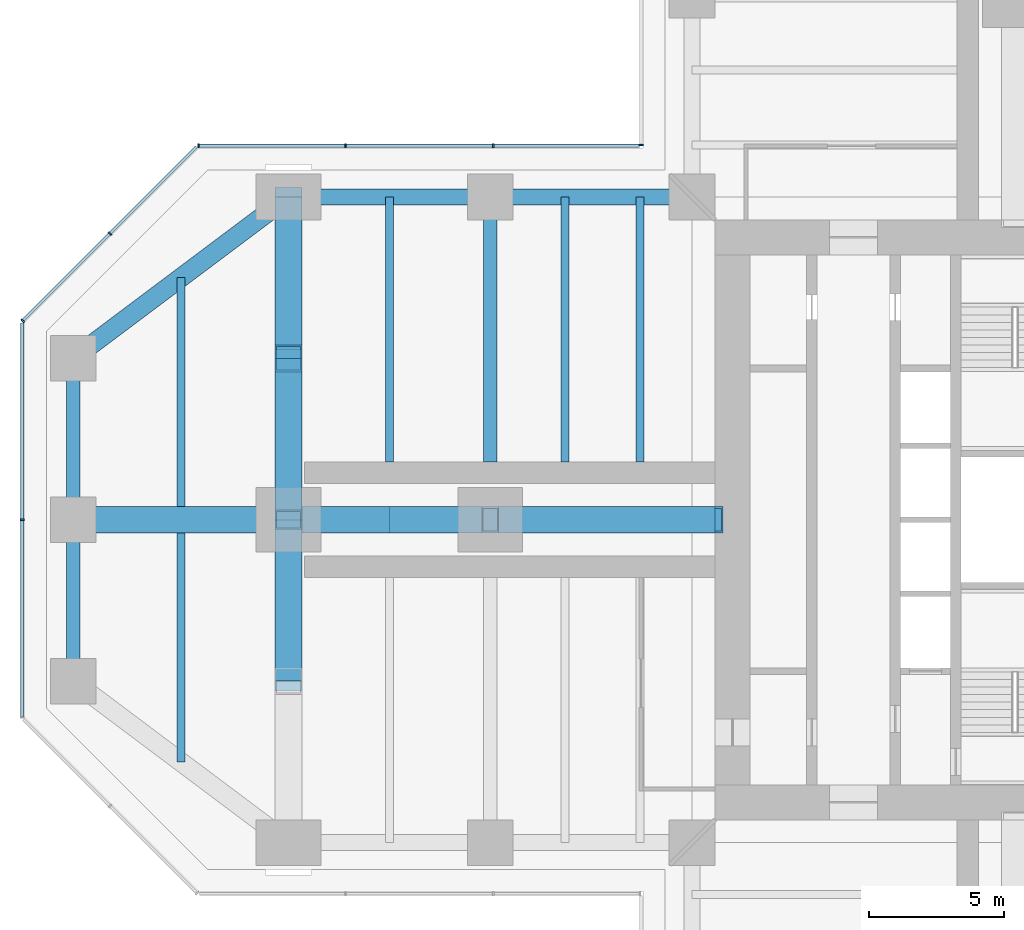
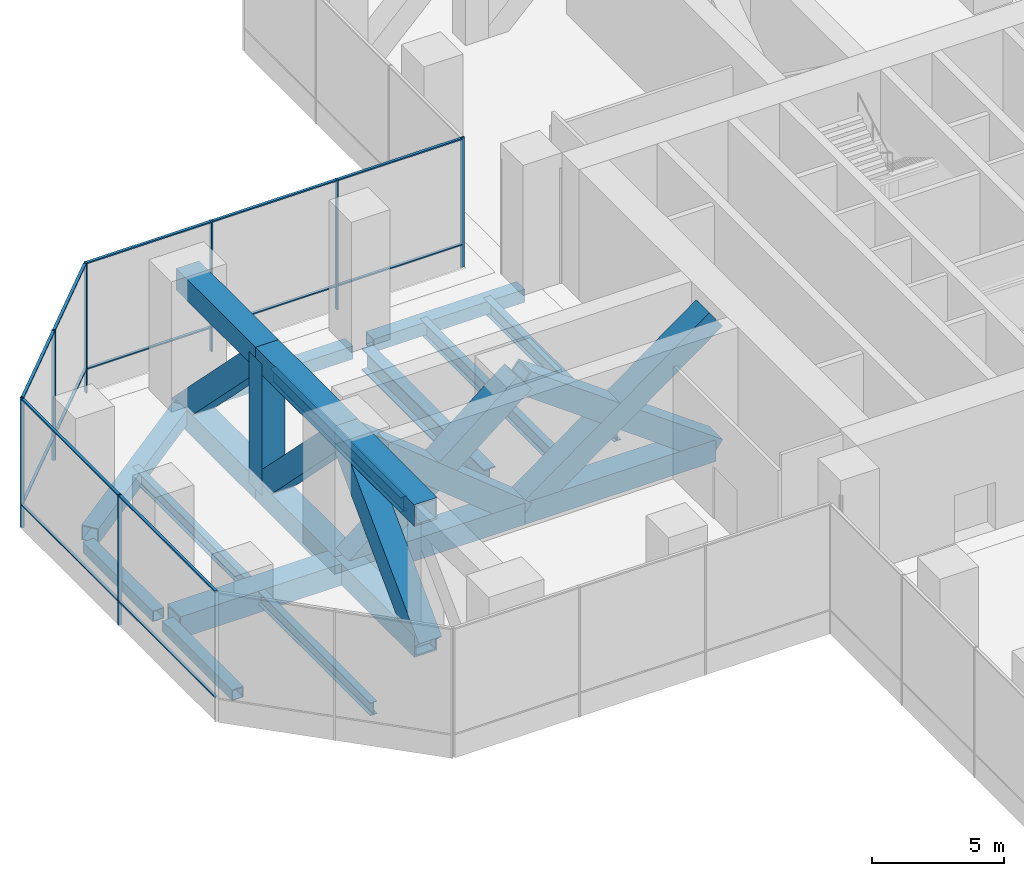
# One storey, part 7 of 20: 35 members, 14 beams, 4 elements without a shape of their own.
"""IFC4 building model written with IfcOpenShell, lengths in metres."""

from ifc_helpers import new_model, si_unit, direction, frame, origin, origin_2d, place, context, subcontext, project, spatial, rectangle, hollow_rectangle, i_section, extrude, material, material_profile, profile_set, type_object, element, aggregate, save


model = new_model("IFC4")

# Units and contexts
model_context = context("Model", 3, precision=1e-05, world=origin(), true_north=direction((0.0, 1.0)))
body_context = subcontext(model_context, "Body", "Model", "MODEL_VIEW")
ifc_project = project(units=[si_unit("LENGTHUNIT", "METRE"), si_unit("AREAUNIT", "SQUARE_METRE"), si_unit("VOLUMEUNIT", "CUBIC_METRE"), si_unit("PLANEANGLEUNIT", "RADIAN"), si_unit("MASSUNIT", "GRAM", prefix="KILO")], contexts=[model_context])

# Site, building, storey
site_placement = place(None, origin())
site = spatial("IfcSite", under=ifc_project, at=site_placement, CompositionType="ELEMENT")
building_placement = place(site_placement, origin())
building = spatial("IfcBuilding", under=site, at=building_placement, Name="Mizan Broadcast Tower", CompositionType="ELEMENT")
storey_placement = place(building_placement, frame((0.0, 0.0, 118.199951171875)))
storey = spatial("IfcBuildingStorey", under=building, at=storey_placement, Name="L26", CompositionType="ELEMENT", Elevation=118.199951171875)

# Members
ifc_material_1 = material(Name="Steel S460", Category="steel")
ifc_material_profile_1 = material_profile(ifc_material_1, hollow_rectangle(XDim=1.0, YDim=1.0, WallThickness=0.080078125, at=origin_2d()), Name="BOX 1000x1000x80")
ifc_profile_set_1 = profile_set([ifc_material_profile_1], Name="Steel S460")
member_type_1 = type_object("IfcMemberType", Name="BELT TRUSS BT2 CHORD BOX 1000x1000x80", PredefinedType="CHORD", material=ifc_profile_set_1)
for number, where, z_axis, x_axis, name in (
    (1, (-27.0, 12.0, -0.679931640625), (0.0, -1.0, 0.0), (1.0, 0.0, 0.0), "Belt truss BT2-W27 bottom chord 1"),
    (2, (-27.0, 12.0, 5.3701171875), (0.0, -1.0, 0.0), (1.0, 0.0, 0.0), "Belt truss BT2-W27 top chord 1"),
    (3, (-27.0, 6.0, -0.679931640625), (0.0, -1.0, 0.0), (1.0, 0.0, 0.0), "Belt truss BT2-W27 bottom chord 2"),
    (4, (-27.0, 6.0, 5.3701171875), (0.0, -1.0, 0.0), (1.0, 0.0, 0.0), "Belt truss BT2-W27 top chord 2"),
    (5, (-27.0, 0.0, -0.679931640625), (0.0, -1.0, 0.0), (1.0, 0.0, 0.0), "Belt truss BT2-W27 bottom chord 3"),
    (6, (-27.0, 0.0, 5.3701171875), (0.0, -1.0, 0.0), (1.0, 0.0, 0.0), "Belt truss BT2-W27 top chord 3"),
):
    element("IfcMember", number, at=place(storey_placement, frame(where, z_axis=z_axis, x_axis=x_axis)), inside=storey, type_object=member_type_1, Name=name, PredefinedType="CHORD", context=body_context, shape_type="SweptSolid", body=[
        extrude(hollow_rectangle(XDim=1.0, YDim=1.0, WallThickness=0.080078125, at=origin_2d()), origin(), (0.0, 0.0, 1.0), 6.0),
    ])
ifc_material_2 = material(Name="Steel S460", Category="steel")
ifc_material_profile_2 = material_profile(ifc_material_2, hollow_rectangle(XDim=1.0, YDim=1.0, WallThickness=0.06005859375, at=origin_2d()), Name="BOX 1000x1000x60")
ifc_profile_set_2 = profile_set([ifc_material_profile_2], Name="Steel S460")
member_type_2 = type_object("IfcMemberType", Name="BELT TRUSS BT2 DIAGONAL BOX 1000x1000x60", PredefinedType="BRACE", material=ifc_profile_set_2)
for number, where, z_axis, x_axis, name in (
    (7, (-27.0, 12.0, -0.679931640625), (0.0, -0.704163801085, 0.710037563261), (1.0, 0.0, 0.0), "Belt truss BT2-W27 diagonal 1"),
    (8, (-27.0, 6.0, -0.679931640625), (0.0, -0.704163801085, 0.710037563261), (1.0, 0.0, 0.0), "Belt truss BT2-W27 diagonal 2"),
    (9, (-27.0, -6.0, -0.679931640625), (0.0, 0.704163801085, 0.710037563261), (-1.0, 0.0, 0.0), "Belt truss BT2-W27 diagonal 3"),
):
    element("IfcMember", number, at=place(storey_placement, frame(where, z_axis=z_axis, x_axis=x_axis)), inside=storey, type_object=member_type_2, Name=name, PredefinedType="BRACE", context=body_context, shape_type="SweptSolid", body=[
        extrude(hollow_rectangle(XDim=1.0, YDim=1.0, WallThickness=0.06005859375, at=origin_2d()), origin(), (0.0, 0.0, 1.0), 8.520751953125),
    ])
ifc_material_3 = material(Name="Steel S460", Category="steel")
ifc_material_profile_3 = material_profile(ifc_material_3, hollow_rectangle(XDim=1.0, YDim=1.0, WallThickness=0.06005859375, at=origin_2d()), Name="BOX 1000x1000x60")
ifc_profile_set_3 = profile_set([ifc_material_profile_3], Name="Steel S460")
member_type_3 = type_object("IfcMemberType", Name="BELT TRUSS BT2 POST BOX 1000x1000x60", PredefinedType="POST", material=ifc_profile_set_3)
member_1_placement = place(storey_placement, frame((-27.0, 6.0, -0.679931640625), z_axis=(0.0, 0.0, 1.0), x_axis=(1.0, 0.0, 0.0)))
element("IfcMember", 10, at=member_1_placement, inside=storey, type_object=member_type_3, Name="Belt truss BT2-W27 post 1", PredefinedType="POST", context=body_context, shape_type="SweptSolid", body=[
    extrude(hollow_rectangle(XDim=1.0, YDim=1.0, WallThickness=0.06005859375, at=origin_2d()), origin(), (0.0, 0.0, 1.0), 6.050048828125),
])

# Beams
ifc_material_4 = material(Name="Steel S355", Category="steel")
ifc_material_profile_4 = material_profile(ifc_material_4, hollow_rectangle(XDim=0.5, YDim=0.5, WallThickness=0.030029296875, at=origin_2d()), Name="BOX 500x500x30")
ifc_profile_set_4 = profile_set([ifc_material_profile_4], Name="Steel S355")
beam_type_1 = type_object("IfcBeamType", Name="EDGE BEAM BOX 500x500x30", PredefinedType="SPANDREL", material=ifc_profile_set_4)
for number, where, z_axis, x_axis, name in (
    (11, (-35.0, 5.639892578125, -0.429931640625), (0.0, -1.0, 0.0), (1.0, 0.0, 0.0), "Edge beam BOX 500x500x30 L26 west arm"),
    (12, (-35.0, -5.639892578125, -0.429931640625), (0.0, 1.0, 0.0), (-1.0, 0.0, 0.0), "Edge beam BOX 500x500x30 L26 west arm"),
):
    element("IfcBeam", number, at=place(storey_placement, frame(where, z_axis=z_axis, x_axis=x_axis)), inside=storey, type_object=beam_type_1, Name=name, PredefinedType="SPANDREL", context=body_context, shape_type="SweptSolid", body=[
        extrude(hollow_rectangle(XDim=0.5, YDim=0.5, WallThickness=0.030029296875, at=origin_2d()), origin(), (0.0, 0.0, 1.0), 5.27978515625),
    ])
ifc_material_5 = material(Name="Steel S355", Category="steel")
ifc_material_profile_5 = material_profile(ifc_material_5, hollow_rectangle(XDim=0.60009765625, YDim=0.60009765625, WallThickness=0.0400390625, at=origin_2d()), Name="BOX 600x600x40")
ifc_profile_set_5 = profile_set([ifc_material_profile_5], Name="Steel S355")
beam_type_2 = type_object("IfcBeamType", Name="EDGE BEAM BOX 600x600x40", PredefinedType="SPANDREL", material=ifc_profile_set_5)
for number, where, z_axis, x_axis, name in (
    (13, (-12.449951171875, 12.0, -0.47998046875), (-1.0, 0.0, 0.0), (0.0, -1.0, 0.0), "Edge beam BOX 600x600x40 L26 west arm"),
    (14, (-19.949951171875, 12.0, -0.47998046875), (-1.0, 0.0, 0.0), (0.0, -1.0, 0.0), "Edge beam BOX 600x600x40 L26 west arm"),
):
    element("IfcBeam", number, at=place(storey_placement, frame(where, z_axis=z_axis, x_axis=x_axis)), inside=storey, type_object=beam_type_2, Name=name, PredefinedType="SPANDREL", context=body_context, shape_type="SweptSolid", body=[
        extrude(hollow_rectangle(XDim=0.60009765625, YDim=0.60009765625, WallThickness=0.0400390625, at=origin_2d()), origin(), (0.0, 0.0, 1.0), 6.60009765625),
    ])
ifc_material_6 = material(Name="Steel S355", Category="steel")
ifc_material_profile_6 = material_profile(ifc_material_6, hollow_rectangle(XDim=0.699951171875, YDim=0.699951171875, WallThickness=0.0400390625, at=origin_2d()), Name="BOX 700x700x40")
ifc_profile_set_6 = profile_set([ifc_material_profile_6], Name="Steel S355")
beam_type_3 = type_object("IfcBeamType", Name="EDGE BEAM BOX 700x700x40", PredefinedType="SPANDREL", material=ifc_profile_set_6)
beam_1_placement = place(storey_placement, frame((-27.47998046875, 11.639892578125, -0.530029296875), z_axis=(-0.800013316712, -0.599982243973, 0.0), x_axis=(0.599982243973, -0.800013316712, 0.0)))
element("IfcBeam", 15, at=beam_1_placement, inside=storey, type_object=beam_type_3, Name="Edge beam BOX 700x700x40 L26 west arm", PredefinedType="SPANDREL", context=body_context, shape_type="SweptSolid", body=[
    extrude(hollow_rectangle(XDim=0.699951171875, YDim=0.699951171875, WallThickness=0.0400390625, at=origin_2d()), origin(), (0.0, 0.0, 1.0), 8.7998046875),
])
ifc_material_7 = material(Name="Steel S460", Category="steel")
ifc_material_profile_7 = material_profile(ifc_material_7, hollow_rectangle(XDim=1.0, YDim=1.0, WallThickness=0.080078125, at=origin_2d()), Name="BOX 1000x1000x80")
ifc_profile_set_7 = profile_set([ifc_material_profile_7], Name="Steel S460")
beam_type_4 = type_object("IfcBeamType", Name="GIRDER BOX 1000x1000x80", PredefinedType="BEAM", material=ifc_profile_set_7)
beam_2_placement = place(storey_placement, frame((-27.47998046875, 0.0, -0.679931640625), z_axis=(-1.0, 0.0, 0.0), x_axis=(0.0, -1.0, 0.0)))
element("IfcBeam", 16, at=beam_2_placement, inside=storey, type_object=beam_type_4, Name="Girder BOX 1000x1000x80 L26 west arm", PredefinedType="BEAM", context=body_context, shape_type="SweptSolid", body=[
    extrude(hollow_rectangle(XDim=1.0, YDim=1.0, WallThickness=0.080078125, at=origin_2d()), origin(), (0.0, 0.0, 1.0), 7.0400390625),
])
ifc_material_8 = material(Name="Steel S460", Category="steel")
ifc_material_profile_8 = material_profile(ifc_material_8, i_section(OverallWidth=0.5, OverallDepth=1.0, WebThickness=0.02490234375, FlangeThickness=0.050048828125, at=origin_2d()), Name="WPG 1000x500")
ifc_profile_set_8 = profile_set([ifc_material_profile_8], Name="Steel S460")
beam_type_5 = type_object("IfcBeamType", Name="GIRDER WPG 1000x500", PredefinedType="BEAM", material=ifc_profile_set_8)
beam_3_placement = place(storey_placement, frame((-19.5, 11.408935546875, -0.679931640625), z_axis=(0.0, -1.0, 0.0), x_axis=(1.0, 0.0, 0.0)))
element("IfcBeam", 17, at=beam_3_placement, inside=storey, type_object=beam_type_5, Name="Girder WPG 1000x500 L26 west arm", PredefinedType="BEAM", context=body_context, shape_type="SweptSolid", body=[
    extrude(i_section(OverallWidth=0.5, OverallDepth=1.0, WebThickness=0.02490234375, FlangeThickness=0.050048828125, at=origin_2d()), origin(), (0.0, 0.0, 1.0), 9.259033203125),
])

# Curtain wall, member
ifc_material_9 = material(Name="Aluminium framed glazing", Category="aluminium")
curtain_wall_type = type_object("IfcCurtainWallType", Name="PLANT LOUVRE", PredefinedType="USERDEFINED", material=ifc_material_9)
curtain_wall_1_placement = place(storey_placement, origin())
curtain_wall_1 = element("IfcCurtainWall", 18, at=curtain_wall_1_placement, inside=storey, type_object=curtain_wall_type, Name="Plant louvre L26 N side", ObjectType="PLANT LOUVRE", PredefinedType="USERDEFINED")
ifc_material_10 = material(Name="Aluminium, pale anodised", Category="aluminium")
ifc_material_profile_9 = material_profile(ifc_material_10, rectangle(XDim=0.159912109375, YDim=0.06005859375, at=origin_2d()), Name="MULLION 160x60")
ifc_profile_set_9 = profile_set([ifc_material_profile_9], Name="Aluminium, pale anodised")
member_type_4 = type_object("IfcMemberType", Name="INNER SKIN MULLION 60x160", PredefinedType="MULLION", material=ifc_profile_set_9)
member_2_placement = place(storey_placement, frame((-13.89990234375, 13.929931640625, 0.0), z_axis=(0.0, 0.0, 1.0), x_axis=(1.0, 0.0, 0.0)))
member_2 = element("IfcMember", 19, at=member_2_placement, type_object=member_type_4, Name="Plant louvre L26 N side mullion 4", PredefinedType="MULLION", context=body_context, shape_type="SweptSolid", body=[
    extrude(rectangle(XDim=0.159912109375, YDim=0.06005859375, at=origin_2d()), origin(), (0.0, 0.0, 1.0), 6.0),
])
aggregate(curtain_wall_1, [member_2])

# Curtain wall, members
curtain_wall_2_placement = place(storey_placement, origin())
curtain_wall_2 = element("IfcCurtainWall", 20, at=curtain_wall_2_placement, inside=storey, type_object=curtain_wall_type, Name="Plant louvre L26 W side", ObjectType="PLANT LOUVRE", PredefinedType="USERDEFINED")
member_3_placement = place(storey_placement, frame((-19.390869140625, 13.89990234375, 0.0), z_axis=(0.0, 0.0, 1.0), x_axis=(0.0, -1.0, 0.0)))
member_3 = element("IfcMember", 21, at=member_3_placement, type_object=member_type_4, Name="Plant louvre L26 W side mullion 2", PredefinedType="MULLION", context=body_context, shape_type="SweptSolid", body=[
    extrude(rectangle(XDim=0.159912109375, YDim=0.06005859375, at=origin_2d()), origin(), (0.0, 0.0, 1.0), 6.0),
])
member_4_placement = place(storey_placement, frame((-24.8818359375, 13.89990234375, 0.0), z_axis=(0.0, 0.0, 1.0), x_axis=(0.0, -1.0, 0.0)))
member_4 = element("IfcMember", 22, at=member_4_placement, type_object=member_type_4, Name="Plant louvre L26 W side mullion 3", PredefinedType="MULLION", context=body_context, shape_type="SweptSolid", body=[
    extrude(rectangle(XDim=0.159912109375, YDim=0.06005859375, at=origin_2d()), origin(), (0.0, 0.0, 1.0), 6.0),
])
member_5_placement = place(storey_placement, frame((-30.3427734375, 13.89990234375, 0.0), z_axis=(0.0, 0.0, 1.0), x_axis=(0.0, -1.0, 0.0)))
member_5 = element("IfcMember", 23, at=member_5_placement, type_object=member_type_4, Name="Plant louvre L26 W side mullion 4", PredefinedType="MULLION", context=body_context, shape_type="SweptSolid", body=[
    extrude(rectangle(XDim=0.159912109375, YDim=0.06005859375, at=origin_2d()), origin(), (0.0, 0.0, 1.0), 6.0),
])

curtain_wall_3_placement = place(storey_placement, origin())
curtain_wall_3 = element("IfcCurtainWall", 24, at=curtain_wall_3_placement, inside=storey, type_object=curtain_wall_type, Name="Plant louvre L26 W chamfer", ObjectType="PLANT LOUVRE", PredefinedType="USERDEFINED")
member_6_placement = place(storey_placement, frame((-33.636474609375, 10.636474609375, 0.0), z_axis=(0.0, 0.0, 1.0), x_axis=(0.707106781187, -0.707106781187, 0.0)))
member_6 = element("IfcMember", 25, at=member_6_placement, type_object=member_type_4, Name="Plant louvre L26 W chamfer mullion 2", PredefinedType="MULLION", context=body_context, shape_type="SweptSolid", body=[
    extrude(rectangle(XDim=0.159912109375, YDim=0.06005859375, at=origin_2d()), origin(), (0.0, 0.0, 1.0), 6.0),
])
member_7_placement = place(storey_placement, frame((-36.87890625, 7.39404296875, 0.0), z_axis=(0.0, 0.0, 1.0), x_axis=(0.707106781187, -0.707106781187, 0.0)))
member_7 = element("IfcMember", 26, at=member_7_placement, type_object=member_type_4, Name="Plant louvre L26 W chamfer mullion 3", PredefinedType="MULLION", context=body_context, shape_type="SweptSolid", body=[
    extrude(rectangle(XDim=0.159912109375, YDim=0.06005859375, at=origin_2d()), origin(), (0.0, 0.0, 1.0), 6.0),
])

# Curtain wall, member
curtain_wall_4_placement = place(storey_placement, origin())
curtain_wall_4 = element("IfcCurtainWall", 27, at=curtain_wall_4_placement, inside=storey, type_object=curtain_wall_type, Name="Plant louvre L26 W end", ObjectType="PLANT LOUVRE", PredefinedType="USERDEFINED")
member_8_placement = place(storey_placement, frame((-36.89990234375, 0.0, 0.0), z_axis=(0.0, 0.0, 1.0), x_axis=(1.0, 0.0, 0.0)))
member_8 = element("IfcMember", 28, at=member_8_placement, type_object=member_type_4, Name="Plant louvre L26 W end mullion 2", PredefinedType="MULLION", context=body_context, shape_type="SweptSolid", body=[
    extrude(rectangle(XDim=0.159912109375, YDim=0.06005859375, at=origin_2d()), origin(), (0.0, 0.0, 1.0), 6.0),
])

# Member
ifc_material_11 = material(Name="Aluminium, pale anodised", Category="aluminium")
ifc_material_profile_10 = material_profile(ifc_material_11, rectangle(XDim=0.1201171875, YDim=0.06005859375, at=origin_2d()), Name="TRANSOM 120x60")
ifc_profile_set_10 = profile_set([ifc_material_profile_10], Name="Aluminium, pale anodised")
member_type_5 = type_object("IfcMemberType", Name="INNER SKIN TRANSOM 60x120", PredefinedType="USERDEFINED", material=ifc_profile_set_10)
member_9_placement = place(storey_placement, frame((-13.9599609375, 13.89990234375, 1.10009765625), z_axis=(-1.0, 0.0, 0.0), x_axis=(0.0, -1.0, 0.0)))
member_9 = element("IfcMember", 29, at=member_9_placement, type_object=member_type_5, Name="Plant louvre L26 W side transom 1.1", ObjectType="TRANSOM", PredefinedType="USERDEFINED", context=body_context, shape_type="SweptSolid", body=[
    extrude(rectangle(XDim=0.1201171875, YDim=0.06005859375, at=origin_2d()), origin(), (0.0, 0.0, 1.0), 5.40087890625),
])

member_10_placement = place(storey_placement, frame((-13.9599609375, 13.89990234375, 5.969970703125), z_axis=(-1.0, 0.0, 0.0), x_axis=(0.0, -1.0, 0.0)))
member_10 = element("IfcMember", 30, at=member_10_placement, type_object=member_type_5, Name="Plant louvre L26 W side transom 1.2", ObjectType="TRANSOM", PredefinedType="USERDEFINED", context=body_context, shape_type="SweptSolid", body=[
    extrude(rectangle(XDim=0.1201171875, YDim=0.06005859375, at=origin_2d()), origin(), (0.0, 0.0, 1.0), 5.40087890625),
])

member_11_placement = place(storey_placement, frame((-19.4208984375, 13.89990234375, 1.10009765625), z_axis=(-1.0, 0.0, 0.0), x_axis=(0.0, -1.0, 0.0)))
member_11 = element("IfcMember", 31, at=member_11_placement, type_object=member_type_5, Name="Plant louvre L26 W side transom 2.1", ObjectType="TRANSOM", PredefinedType="USERDEFINED", context=body_context, shape_type="SweptSolid", body=[
    extrude(rectangle(XDim=0.1201171875, YDim=0.06005859375, at=origin_2d()), origin(), (0.0, 0.0, 1.0), 5.430908203125),
])

member_12_placement = place(storey_placement, frame((-19.4208984375, 13.89990234375, 5.969970703125), z_axis=(-1.0, 0.0, 0.0), x_axis=(0.0, -1.0, 0.0)))
member_12 = element("IfcMember", 32, at=member_12_placement, type_object=member_type_5, Name="Plant louvre L26 W side transom 2.2", ObjectType="TRANSOM", PredefinedType="USERDEFINED", context=body_context, shape_type="SweptSolid", body=[
    extrude(rectangle(XDim=0.1201171875, YDim=0.06005859375, at=origin_2d()), origin(), (0.0, 0.0, 1.0), 5.430908203125),
])

member_13_placement = place(storey_placement, frame((-24.911865234375, 13.89990234375, 1.10009765625), z_axis=(-1.0, 0.0, 0.0), x_axis=(0.0, -1.0, 0.0)))
member_13 = element("IfcMember", 33, at=member_13_placement, type_object=member_type_5, Name="Plant louvre L26 W side transom 3.1", ObjectType="TRANSOM", PredefinedType="USERDEFINED", context=body_context, shape_type="SweptSolid", body=[
    extrude(rectangle(XDim=0.1201171875, YDim=0.06005859375, at=origin_2d()), origin(), (0.0, 0.0, 1.0), 5.40087890625),
])

member_14_placement = place(storey_placement, frame((-24.911865234375, 13.89990234375, 5.969970703125), z_axis=(-1.0, 0.0, 0.0), x_axis=(0.0, -1.0, 0.0)))
member_14 = element("IfcMember", 34, at=member_14_placement, type_object=member_type_5, Name="Plant louvre L26 W side transom 3.2", ObjectType="TRANSOM", PredefinedType="USERDEFINED", context=body_context, shape_type="SweptSolid", body=[
    extrude(rectangle(XDim=0.1201171875, YDim=0.06005859375, at=origin_2d()), origin(), (0.0, 0.0, 1.0), 5.40087890625),
])

aggregate(curtain_wall_2, [member_3, member_4, member_5, member_9, member_10, member_11, member_12, member_13, member_14])

member_15_placement = place(storey_placement, frame((-30.415283203125, 13.857666015625, 1.10009765625), z_axis=(-0.707106781187, -0.707106781187, 0.0), x_axis=(0.707106781187, -0.707106781187, 0.0)))
member_15 = element("IfcMember", 35, at=member_15_placement, type_object=member_type_5, Name="Plant louvre L26 W chamfer transom 1.1", ObjectType="TRANSOM", PredefinedType="USERDEFINED", context=body_context, shape_type="SweptSolid", body=[
    extrude(rectangle(XDim=0.1201171875, YDim=0.06005859375, at=origin_2d()), origin(), (0.0, 0.0, 1.0), 4.525390625),
])

member_16_placement = place(storey_placement, frame((-30.415283203125, 13.857666015625, 5.969970703125), z_axis=(-0.707106781187, -0.707106781187, 0.0), x_axis=(0.707106781187, -0.707106781187, 0.0)))
member_16 = element("IfcMember", 36, at=member_16_placement, type_object=member_type_5, Name="Plant louvre L26 W chamfer transom 1.2", ObjectType="TRANSOM", PredefinedType="USERDEFINED", context=body_context, shape_type="SweptSolid", body=[
    extrude(rectangle(XDim=0.1201171875, YDim=0.06005859375, at=origin_2d()), origin(), (0.0, 0.0, 1.0), 4.525390625),
])

member_17_placement = place(storey_placement, frame((-33.65771484375, 10.615234375, 1.10009765625), z_axis=(-0.707106781187, -0.707106781187, 0.0), x_axis=(0.707106781187, -0.707106781187, 0.0)))
member_17 = element("IfcMember", 37, at=member_17_placement, type_object=member_type_5, Name="Plant louvre L26 W chamfer transom 2.1", ObjectType="TRANSOM", PredefinedType="USERDEFINED", context=body_context, shape_type="SweptSolid", body=[
    extrude(rectangle(XDim=0.1201171875, YDim=0.06005859375, at=origin_2d()), origin(), (0.0, 0.0, 1.0), 4.525390625),
])

member_18_placement = place(storey_placement, frame((-33.65771484375, 10.615234375, 5.969970703125), z_axis=(-0.707106781187, -0.707106781187, 0.0), x_axis=(0.707106781187, -0.707106781187, 0.0)))
member_18 = element("IfcMember", 38, at=member_18_placement, type_object=member_type_5, Name="Plant louvre L26 W chamfer transom 2.2", ObjectType="TRANSOM", PredefinedType="USERDEFINED", context=body_context, shape_type="SweptSolid", body=[
    extrude(rectangle(XDim=0.1201171875, YDim=0.06005859375, at=origin_2d()), origin(), (0.0, 0.0, 1.0), 4.525390625),
])

aggregate(curtain_wall_3, [member_6, member_7, member_15, member_16, member_17, member_18])

member_19_placement = place(storey_placement, frame((-36.89990234375, 7.312744140625, 1.10009765625), z_axis=(0.0, -1.0, 0.0), x_axis=(1.0, 0.0, 0.0)))
member_19 = element("IfcMember", 39, at=member_19_placement, type_object=member_type_5, Name="Plant louvre L26 W end transom 1.1", ObjectType="TRANSOM", PredefinedType="USERDEFINED", context=body_context, shape_type="SweptSolid", body=[
    extrude(rectangle(XDim=0.1201171875, YDim=0.06005859375, at=origin_2d()), origin(), (0.0, 0.0, 1.0), 7.28271484375),
])

member_20_placement = place(storey_placement, frame((-36.89990234375, 7.312744140625, 5.969970703125), z_axis=(0.0, -1.0, 0.0), x_axis=(1.0, 0.0, 0.0)))
member_20 = element("IfcMember", 40, at=member_20_placement, type_object=member_type_5, Name="Plant louvre L26 W end transom 1.2", ObjectType="TRANSOM", PredefinedType="USERDEFINED", context=body_context, shape_type="SweptSolid", body=[
    extrude(rectangle(XDim=0.1201171875, YDim=0.06005859375, at=origin_2d()), origin(), (0.0, 0.0, 1.0), 7.28271484375),
])

member_21_placement = place(storey_placement, frame((-36.89990234375, -0.030029296875, 1.10009765625), z_axis=(0.0, -1.0, 0.0), x_axis=(1.0, 0.0, 0.0)))
member_21 = element("IfcMember", 41, at=member_21_placement, type_object=member_type_5, Name="Plant louvre L26 W end transom 2.1", ObjectType="TRANSOM", PredefinedType="USERDEFINED", context=body_context, shape_type="SweptSolid", body=[
    extrude(rectangle(XDim=0.1201171875, YDim=0.06005859375, at=origin_2d()), origin(), (0.0, 0.0, 1.0), 7.28271484375),
])

member_22_placement = place(storey_placement, frame((-36.89990234375, -0.030029296875, 5.969970703125), z_axis=(0.0, -1.0, 0.0), x_axis=(1.0, 0.0, 0.0)))
member_22 = element("IfcMember", 42, at=member_22_placement, type_object=member_type_5, Name="Plant louvre L26 W end transom 2.2", ObjectType="TRANSOM", PredefinedType="USERDEFINED", context=body_context, shape_type="SweptSolid", body=[
    extrude(rectangle(XDim=0.1201171875, YDim=0.06005859375, at=origin_2d()), origin(), (0.0, 0.0, 1.0), 7.28271484375),
])

aggregate(curtain_wall_4, [member_8, member_19, member_20, member_21, member_22])

# Beams
ifc_material_12 = material(Name="Steel S460", Category="steel")
ifc_material_profile_11 = material_profile(ifc_material_12, hollow_rectangle(XDim=1.0, YDim=1.0, WallThickness=0.080078125, at=origin_2d()), Name="BOX 1000x1000x80")
ifc_profile_set_11 = profile_set([ifc_material_profile_11], Name="Steel S460")
beam_type_6 = type_object("IfcBeamType", Name="OUTRIGGER TRUSS OT2 CHORD BOX 1000x1000x80", PredefinedType="BEAM", material=ifc_profile_set_11)
beam_4_placement = place(storey_placement, frame((-11.14990234375, 0.0, -0.679931640625), z_axis=(-1.0, 0.0, 0.0), x_axis=(0.0, -1.0, 0.0)))
element("IfcBeam", 43, at=beam_4_placement, inside=storey, type_object=beam_type_6, Name="Outrigger truss OT2-W bottom chord 1", PredefinedType="BEAM", context=body_context, shape_type="SweptSolid", body=[
    extrude(hollow_rectangle(XDim=1.0, YDim=1.0, WallThickness=0.080078125, at=origin_2d()), origin(), (0.0, 0.0, 1.0), 8.35009765625),
])
beam_5_placement = place(storey_placement, frame((-19.5, 0.0, -0.679931640625), z_axis=(-1.0, 0.0, 0.0), x_axis=(0.0, -1.0, 0.0)))
element("IfcBeam", 44, at=beam_5_placement, inside=storey, type_object=beam_type_6, Name="Outrigger truss OT2-W bottom chord 2", PredefinedType="BEAM", context=body_context, shape_type="SweptSolid", body=[
    extrude(hollow_rectangle(XDim=1.0, YDim=1.0, WallThickness=0.080078125, at=origin_2d()), origin(), (0.0, 0.0, 1.0), 7.5),
])

# Members
ifc_material_13 = material(Name="Steel S460", Category="steel")
ifc_material_profile_12 = material_profile(ifc_material_13, hollow_rectangle(XDim=1.0, YDim=1.0, WallThickness=0.080078125, at=origin_2d()), Name="BOX 1000x1000x80")
ifc_profile_set_12 = profile_set([ifc_material_profile_12], Name="Steel S460")
member_type_6 = type_object("IfcMemberType", Name="OUTRIGGER TRUSS OT2 DIAGONAL BOX 1000x1000x80", PredefinedType="BRACE", material=ifc_profile_set_12)
for number, where, z_axis, x_axis, name in (
    (45, (-11.14990234375, 0.0, -0.679931640625), (-0.809784242605, 0.0, 0.586727773698), (0.0, -1.0, 0.0), "Outrigger truss OT2-W panel 1 diagonal 1"),
    (46, (-11.14990234375, 0.0, 5.3701171875), (-0.809784242605, 0.0, -0.586727773698), (0.0, -1.0, 0.0), "Outrigger truss OT2-W panel 1 diagonal 2"),
):
    element("IfcMember", number, at=place(storey_placement, frame(where, z_axis=z_axis, x_axis=x_axis)), inside=storey, type_object=member_type_6, Name=name, PredefinedType="BRACE", context=body_context, shape_type="SweptSolid", body=[
        extrude(hollow_rectangle(XDim=1.0, YDim=1.0, WallThickness=0.080078125, at=origin_2d()), origin(), (0.0, 0.0, 1.0), 10.3115234375),
    ])
for number, where, z_axis, x_axis, name in (
    (47, (-19.5, 0.0, -0.679931640625), (-0.77832876476, 0.0, 0.627856937484), (0.0, -1.0, 0.0), "Outrigger truss OT2-W panel 2 diagonal 1"),
    (48, (-19.5, 0.0, 5.3701171875), (-0.77832876476, 0.0, -0.627856937484), (0.0, -1.0, 0.0), "Outrigger truss OT2-W panel 2 diagonal 2"),
):
    element("IfcMember", number, at=place(storey_placement, frame(where, z_axis=z_axis, x_axis=x_axis)), inside=storey, type_object=member_type_6, Name=name, PredefinedType="BRACE", context=body_context, shape_type="SweptSolid", body=[
        extrude(hollow_rectangle(XDim=1.0, YDim=1.0, WallThickness=0.080078125, at=origin_2d()), origin(), (0.0, 0.0, 1.0), 9.635986328125),
    ])

# Beams
ifc_material_14 = material(Name="Steel S355", Category="steel")
ifc_material_profile_13 = material_profile(ifc_material_14, i_section(OverallWidth=0.300048828125, OverallDepth=0.590087890625, WebThickness=0.012939453125, FlangeThickness=0.02490234375, FilletRadius=0.027099609375, at=origin_2d()), Name="HEA 600")
ifc_profile_set_13 = profile_set([ifc_material_profile_13], Name="Steel S355")
beam_type_7 = type_object("IfcBeamType", Name="SECONDARY BEAM HEA 600", PredefinedType="JOIST", material=ifc_profile_set_13)
for number, where, z_axis, x_axis, name in (
    (49, (-31.0, 9.0, -0.474853515625), (0.0, -1.0, 0.0), (1.0, 0.0, 0.0), "Secondary beam HEA 600 L26 west arm"),
    (50, (-31.0, -9.0, -0.474853515625), (0.0, 1.0, 0.0), (-1.0, 0.0, 0.0), "Secondary beam HEA 600 L26 west arm"),
):
    element("IfcBeam", number, at=place(storey_placement, frame(where, z_axis=z_axis, x_axis=x_axis)), inside=storey, type_object=beam_type_7, Name=name, PredefinedType="JOIST", context=body_context, shape_type="SweptSolid", body=[
        extrude(i_section(OverallWidth=0.300048828125, OverallDepth=0.590087890625, WebThickness=0.012939453125, FlangeThickness=0.02490234375, FilletRadius=0.027099609375, at=origin_2d()), origin(), (0.0, 0.0, 1.0), 8.5),
    ])
ifc_material_15 = material(Name="Steel S355", Category="steel")
ifc_material_profile_14 = material_profile(ifc_material_15, i_section(OverallWidth=0.300048828125, OverallDepth=0.68994140625, WebThickness=0.014404296875, FlangeThickness=0.027099609375, FilletRadius=0.027099609375, at=origin_2d()), Name="HEA 700")
ifc_profile_set_14 = profile_set([ifc_material_profile_14], Name="Steel S355")
beam_type_8 = type_object("IfcBeamType", Name="SECONDARY BEAM HEA 700", PredefinedType="JOIST", material=ifc_profile_set_14)
for number, where, z_axis, x_axis, name in (
    (51, (-13.933349609375, 12.0, -0.52490234375), (0.0, -1.0, 0.0), (1.0, 0.0, 0.0), "Secondary beam HEA 700 L26 west arm"),
    (52, (-16.716552734375, 12.0, -0.52490234375), (0.0, -1.0, 0.0), (1.0, 0.0, 0.0), "Secondary beam HEA 700 L26 west arm"),
    (53, (-23.25, 12.0, -0.52490234375), (0.0, -1.0, 0.0), (1.0, 0.0, 0.0), "Secondary beam HEA 700 L26 west arm"),
):
    element("IfcBeam", number, at=place(storey_placement, frame(where, z_axis=z_axis, x_axis=x_axis)), inside=storey, type_object=beam_type_8, Name=name, PredefinedType="JOIST", context=body_context, shape_type="SweptSolid", body=[
        extrude(i_section(OverallWidth=0.300048828125, OverallDepth=0.68994140625, WebThickness=0.014404296875, FlangeThickness=0.027099609375, FilletRadius=0.027099609375, at=origin_2d()), origin(), (0.0, 0.0, 1.0), 9.85009765625),
    ])

save(model, "model.ifc")
